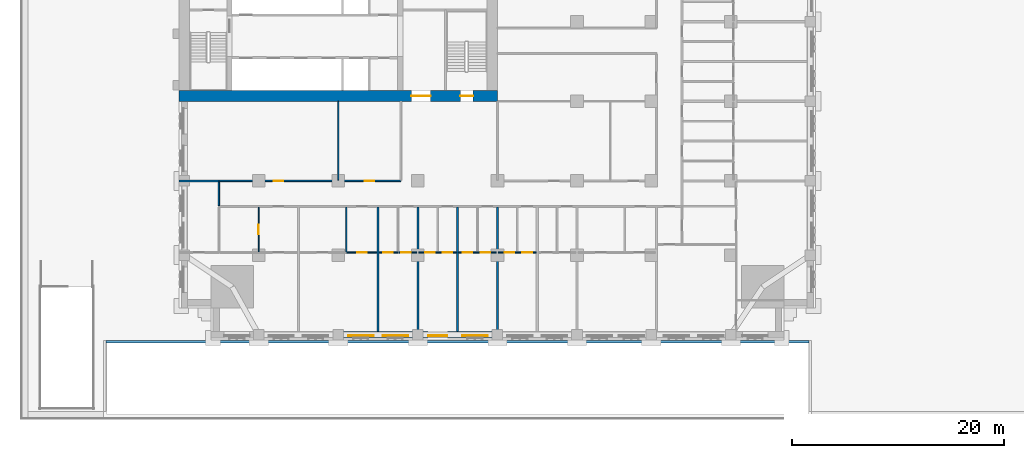
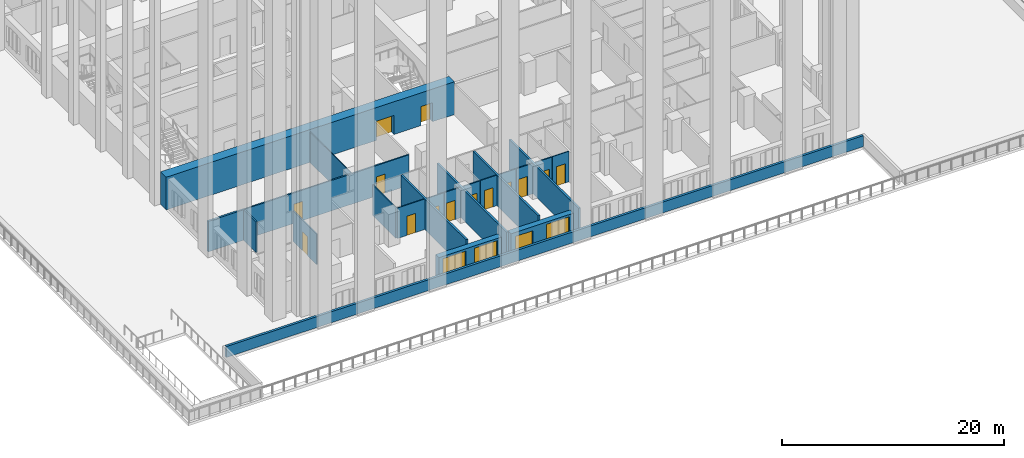
# One storey, part 6 of 27: 23 walls, 15 doors, 3 windows, 18 openings.
"""IFC4 building model written with IfcOpenShell, lengths in metres."""

from ifc_helpers import new_model, si_unit, direction, frame, frame_2d, origin, place, context, subcontext, project, spatial, rectangle, extrude, material, layer, layer_set, type_object, element, fill, save


model = new_model("IFC4")

# Units and contexts
model_context = context("Model", 3, precision=1e-05, world=origin(), true_north=direction((0.0, 1.0)))
body_context = subcontext(model_context, "Body", "Model", "MODEL_VIEW")
ifc_project = project(units=[si_unit("LENGTHUNIT", "METRE"), si_unit("AREAUNIT", "SQUARE_METRE"), si_unit("VOLUMEUNIT", "CUBIC_METRE"), si_unit("PLANEANGLEUNIT", "RADIAN"), si_unit("MASSUNIT", "GRAM", prefix="KILO")], contexts=[model_context])

# Site, building, storey
site_placement = place(None, origin())
site = spatial("IfcSite", under=ifc_project, at=site_placement, CompositionType="ELEMENT")
building_placement = place(site_placement, origin())
building = spatial("IfcBuilding", under=site, at=building_placement, Name="Tamorin Gate", CompositionType="ELEMENT")
storey_placement = place(building_placement, frame((0.0, 0.0, 34.0)))
storey = spatial("IfcBuildingStorey", under=building, at=storey_placement, Name="L06", CompositionType="ELEMENT", Elevation=34.0)

# Wall, openings, windows
ifc_material_1 = material(Name="Precast concrete C40/50", Category="concrete")
ifc_layer_1 = layer(ifc_material_1, 0.60009765625)
ifc_layer_set_1 = layer_set([ifc_layer_1], Name="Precast concrete C40/50")
wall_type_1 = type_object("IfcWallType", Name="Board-marked concrete facade panel 600", PredefinedType="SOLIDWALL", material=ifc_layer_set_1)
wall_1_placement = place(storey_placement, frame((45.5, 38.0, 0.0), z_axis=(0.0, 0.0, 1.0), x_axis=(1.0, 0.0, 0.0)))
wall_1 = element("IfcWall", 1, at=wall_1_placement, inside=storey, type_object=wall_type_1, Name="Facade panel", PredefinedType="SOLIDWALL", context=body_context, shape_type="SweptSolid", body=[
    extrude(rectangle(XDim=6.5, YDim=0.60009765625, at=frame_2d((3.25, 0.0))), origin(), (0.0, 0.0, 1.0), 2.85009765625),
])
opening_1_placement = place(wall_1_placement, frame((0.425048828125, 0.0, 0.800048828125)))
opening_1 = element("IfcOpeningElement", 2, at=opening_1_placement, cuts=wall_1, Name="Opening WN1", PredefinedType="OPENING", context=body_context, shape_type="SweptSolid", body=[
    extrude(rectangle(XDim=2.39990234375, YDim=1.800048828125, at=frame_2d((1.199951171875, 0.89990234375))), frame((0.0, 0.31005859375, 0.0), z_axis=(0.0, -1.0, 0.0), x_axis=(1.0, 0.0, 0.0)), (0.0, 0.0, 1.0), 0.6201171875),
])
opening_2_placement = place(wall_1_placement, frame((3.675048828125, 0.0, 0.800048828125)))
opening_2 = element("IfcOpeningElement", 3, at=opening_2_placement, cuts=wall_1, Name="Opening WN1", PredefinedType="OPENING", context=body_context, shape_type="SweptSolid", body=[
    extrude(rectangle(XDim=2.39990234375, YDim=1.800048828125, at=frame_2d((1.199951171875, 0.89990234375))), frame((0.0, 0.31005859375, 0.0), z_axis=(0.0, -1.0, 0.0), x_axis=(1.0, 0.0, 0.0)), (0.0, 0.0, 1.0), 0.6201171875),
])
ifc_material_2 = material(Name="Clear glass in aluminium frame", Category="aluminium")
window_type = type_object("IfcWindowType", Name="Deep-set window 2400x1800", PartitioningType="SINGLE_PANEL", PredefinedType="WINDOW", material=ifc_material_2)
window_1_placement = place(opening_1_placement, origin())
window_1 = element("IfcWindow", 4, at=window_1_placement, inside=storey, type_object=window_type, Name="Deep-set window", OverallHeight=1.800048828125, OverallWidth=2.39990234375, PartitioningType="SINGLE_PANEL", PredefinedType="WINDOW", context=body_context, shape_type="SweptSolid", body=[
    extrude(rectangle(XDim=2.39990234375, YDim=1.800048828125, at=frame_2d((1.199951171875, 0.89990234375))), frame((0.0, -0.070068359375, 0.0), z_axis=(0.0, -1.0, 0.0), x_axis=(1.0, 0.0, 0.0)), (0.0, 0.0, 1.0), 0.06005859375),
])
fill(opening_1, window_1)
window_2_placement = place(opening_2_placement, origin())
window_2 = element("IfcWindow", 5, at=window_2_placement, inside=storey, type_object=window_type, Name="Deep-set window", OverallHeight=1.800048828125, OverallWidth=2.39990234375, PartitioningType="SINGLE_PANEL", PredefinedType="WINDOW", context=body_context, shape_type="SweptSolid", body=[
    extrude(rectangle(XDim=2.39990234375, YDim=1.800048828125, at=frame_2d((1.199951171875, 0.89990234375))), frame((0.0, -0.070068359375, 0.0), z_axis=(0.0, -1.0, 0.0), x_axis=(1.0, 0.0, 0.0)), (0.0, 0.0, 1.0), 0.06005859375),
])
fill(opening_2, window_2)

# Wall, openings, window, door
wall_2_placement = place(storey_placement, frame((53.0, 38.0, 0.0), z_axis=(0.0, 0.0, 1.0), x_axis=(1.0, 0.0, 0.0)))
wall_2 = element("IfcWall", 6, at=wall_2_placement, inside=storey, type_object=wall_type_1, Name="Facade panel", PredefinedType="SOLIDWALL", context=body_context, shape_type="SweptSolid", body=[
    extrude(rectangle(XDim=6.5, YDim=0.60009765625, at=frame_2d((3.25, 0.0))), origin(), (0.0, 0.0, 1.0), 2.85009765625),
])
opening_3_placement = place(wall_2_placement, frame((0.47509765625, 0.0, 0.0)))
opening_3 = element("IfcOpeningElement", 7, at=opening_3_placement, cuts=wall_2, Name="Opening DX1", PredefinedType="OPENING", context=body_context, shape_type="SweptSolid", body=[
    extrude(rectangle(XDim=1.800048828125, YDim=2.39990234375, at=frame_2d((0.89990234375, 1.199951171875))), frame((0.0, 0.31005859375, 0.0), z_axis=(0.0, -1.0, 0.0), x_axis=(1.0, 0.0, 0.0)), (0.0, 0.0, 1.0), 0.6201171875),
])
opening_4_placement = place(wall_2_placement, frame((3.675048828125, 0.0, 0.800048828125)))
opening_4 = element("IfcOpeningElement", 8, at=opening_4_placement, cuts=wall_2, Name="Opening WN1", PredefinedType="OPENING", context=body_context, shape_type="SweptSolid", body=[
    extrude(rectangle(XDim=2.39990234375, YDim=1.800048828125, at=frame_2d((1.199951171875, 0.89990234375))), frame((0.0, 0.31005859375, 0.0), z_axis=(0.0, -1.0, 0.0), x_axis=(1.0, 0.0, 0.0)), (0.0, 0.0, 1.0), 0.6201171875),
])
window_3_placement = place(opening_4_placement, origin())
window_3 = element("IfcWindow", 9, at=window_3_placement, inside=storey, type_object=window_type, Name="Deep-set window", OverallHeight=1.800048828125, OverallWidth=2.39990234375, PartitioningType="SINGLE_PANEL", PredefinedType="WINDOW", context=body_context, shape_type="SweptSolid", body=[
    extrude(rectangle(XDim=2.39990234375, YDim=1.800048828125, at=frame_2d((1.199951171875, 0.89990234375))), frame((0.0, -0.070068359375, 0.0), z_axis=(0.0, -1.0, 0.0), x_axis=(1.0, 0.0, 0.0)), (0.0, 0.0, 1.0), 0.06005859375),
])
fill(opening_4, window_3)
door_type_1 = type_object("IfcDoorType", Name="Terrace door 1800x2400", OperationType="DOUBLE_DOOR_SINGLE_SWING", PredefinedType="DOOR", material=ifc_material_2)
door_1_placement = place(opening_3_placement, origin())
door_1 = element("IfcDoor", 10, at=door_1_placement, inside=storey, type_object=door_type_1, Name="Terrace door", OperationType="SINGLE_SWING_LEFT", OverallHeight=2.39990234375, OverallWidth=1.800048828125, PredefinedType="DOOR", context=body_context, shape_type="SweptSolid", body=[
    extrude(rectangle(XDim=1.800048828125, YDim=2.39990234375, at=frame_2d((0.89990234375, 1.199951171875))), frame((0.0, -0.0751953125, 0.0), z_axis=(0.0, -1.0, 0.0), x_axis=(1.0, 0.0, 0.0)), (0.0, 0.0, 1.0), 0.050048828125),
])
fill(opening_3, door_1)

# Wall, openings, doors
ifc_material_3 = material(Name="Gypsum board partition")
ifc_layer_2 = layer(ifc_material_3, 0.14990234375)
ifc_layer_set_2 = layer_set([ifc_layer_2], Name="Corridor wall 150")
wall_type_2 = type_object("IfcWallType", Name="Corridor wall 150", PredefinedType="PARTITIONING", material=ifc_layer_set_2)
wall_3_placement = place(storey_placement, frame((33.75, 52.5, 0.0), z_axis=(0.0, 0.0, 1.0), x_axis=(1.0, 0.0, 0.0)))
wall_3 = element("IfcWall", 11, at=wall_3_placement, inside=storey, type_object=wall_type_2, Name="Corridor wall 150", PredefinedType="PARTITIONING", context=body_context, shape_type="SweptSolid", body=[
    extrude(rectangle(XDim=17.14990234375, YDim=0.14990234375, at=frame_2d((8.574951171875, 0.0))), origin(), (0.0, 0.0, 1.0), 3.35009765625),
])
opening_5_placement = place(wall_3_placement, frame((5.175048828125, 0.0, 0.0)))
opening_5 = element("IfcOpeningElement", 12, at=opening_5_placement, cuts=wall_3, Name="Opening DH1093", PredefinedType="OPENING", context=body_context, shape_type="SweptSolid", body=[
    extrude(rectangle(XDim=0.89990234375, YDim=2.10009765625, at=frame_2d((0.449951171875, 1.050048828125))), frame((0.0, 0.0849609375, 0.0), z_axis=(0.0, -1.0, 0.0), x_axis=(1.0, 0.0, 0.0)), (0.0, 0.0, 1.0), 0.169921875),
])
opening_6_placement = place(wall_3_placement, frame((13.75, 0.0, 0.0)))
opening_6 = element("IfcOpeningElement", 13, at=opening_6_placement, cuts=wall_3, Name="Opening DH1094", PredefinedType="OPENING", context=body_context, shape_type="SweptSolid", body=[
    extrude(rectangle(XDim=0.89990234375, YDim=2.10009765625, at=frame_2d((0.449951171875, 1.050048828125))), frame((0.0, 0.0849609375, 0.0), z_axis=(0.0, -1.0, 0.0), x_axis=(1.0, 0.0, 0.0)), (0.0, 0.0, 1.0), 0.169921875),
])
ifc_material_4 = material(Name="Timber door leaf", Category="wood")
door_type_2 = type_object("IfcDoorType", Name="Door 900 x 2100 FD30S", OperationType="NOTDEFINED", PredefinedType="DOOR", material=ifc_material_4)
door_2_placement = place(opening_5_placement, origin())
door_2 = element("IfcDoor", 14, at=door_2_placement, inside=storey, type_object=door_type_2, Name="Door DH1093", OperationType="SINGLE_SWING_LEFT", OverallHeight=2.10009765625, OverallWidth=0.89990234375, PredefinedType="DOOR", context=body_context, shape_type="SweptSolid", body=[
    extrude(rectangle(XDim=0.89990234375, YDim=2.10009765625, at=frame_2d((0.449951171875, 1.050048828125))), frame((0.0, 0.02490234375, 0.0), z_axis=(0.0, -1.0, 0.0), x_axis=(1.0, 0.0, 0.0)), (0.0, 0.0, 1.0), 0.050048828125),
])
fill(opening_5, door_2)
door_3_placement = place(opening_6_placement, origin())
door_3 = element("IfcDoor", 15, at=door_3_placement, inside=storey, type_object=door_type_2, Name="Door DH1094", OperationType="SINGLE_SWING_LEFT", OverallHeight=2.10009765625, OverallWidth=0.89990234375, PredefinedType="DOOR", context=body_context, shape_type="SweptSolid", body=[
    extrude(rectangle(XDim=0.89990234375, YDim=2.10009765625, at=frame_2d((0.449951171875, 1.050048828125))), frame((0.0, 0.02490234375, 0.0), z_axis=(0.0, -1.0, 0.0), x_axis=(1.0, 0.0, 0.0)), (0.0, 0.0, 1.0), 0.050048828125),
])
fill(opening_6, door_3)

# Walls
wall_4_placement = place(storey_placement, frame((33.75, 50.175048828125, 0.0), z_axis=(0.0, 0.0, 1.0), x_axis=(0.0, 1.0, 0.0)))
element("IfcWall", 16, at=wall_4_placement, inside=storey, type_object=wall_type_2, Name="Corridor wall 150", PredefinedType="PARTITIONING", context=body_context, shape_type="SweptSolid", body=[
    extrude(rectangle(XDim=2.224853515625, YDim=0.14990234375, at=frame_2d((1.1123046875, 0.0))), origin(), (0.0, 0.0, 1.0), 3.35009765625),
])
ifc_layer_3 = layer(ifc_material_3, 0.199951171875)
ifc_layer_set_3 = layer_set([ifc_layer_3], Name="Demising wall 200")
wall_type_3 = type_object("IfcWallType", Name="Demising wall 200", PredefinedType="PARTITIONING", material=ifc_layer_set_3)
wall_5_placement = place(storey_placement, frame((30.0, 52.5, 0.0), z_axis=(0.0, 0.0, 1.0), x_axis=(1.0, 0.0, 0.0)))
element("IfcWall", 17, at=wall_5_placement, inside=storey, type_object=wall_type_3, Name="Demising wall 200", PredefinedType="PARTITIONING", context=body_context, shape_type="SweptSolid", body=[
    extrude(rectangle(XDim=3.75, YDim=0.199951171875, at=frame_2d((1.875, 0.0))), origin(), (0.0, 0.0, 1.0), 3.35009765625),
])
wall_6_placement = place(storey_placement, frame((48.75, 38.31005859375, 0.0), z_axis=(0.0, 0.0, 1.0), x_axis=(0.0, 1.0, 0.0)))
element("IfcWall", 18, at=wall_6_placement, inside=storey, type_object=wall_type_3, Name="Demising wall 200", PredefinedType="PARTITIONING", context=body_context, shape_type="SweptSolid", body=[
    extrude(rectangle(XDim=11.71484375, YDim=0.199951171875, at=frame_2d((5.857421875, 0.0))), origin(), (0.0, 0.0, 1.0), 3.35009765625),
])
wall_7_placement = place(storey_placement, frame((52.5, 37.5, 0.0), z_axis=(0.0, 0.0, 1.0), x_axis=(0.0, 1.0, 0.0)))
element("IfcWall", 19, at=wall_7_placement, inside=storey, type_object=wall_type_3, Name="Demising wall 200", PredefinedType="PARTITIONING", context=body_context, shape_type="SweptSolid", body=[
    extrude(rectangle(XDim=12.52490234375, YDim=0.199951171875, at=frame_2d((6.262451171875, 0.0))), origin(), (0.0, 0.0, 1.0), 3.35009765625),
])
wall_8_placement = place(storey_placement, frame((56.25, 38.31005859375, 0.0), z_axis=(0.0, 0.0, 1.0), x_axis=(0.0, 1.0, 0.0)))
element("IfcWall", 20, at=wall_8_placement, inside=storey, type_object=wall_type_3, Name="Demising wall 200", PredefinedType="PARTITIONING", context=body_context, shape_type="SweptSolid", body=[
    extrude(rectangle(XDim=11.71484375, YDim=0.199951171875, at=frame_2d((5.857421875, 0.0))), origin(), (0.0, 0.0, 1.0), 3.35009765625),
])
wall_9_placement = place(storey_placement, frame((60.0, 37.5, 0.0), z_axis=(0.0, 0.0, 1.0), x_axis=(0.0, 1.0, 0.0)))
element("IfcWall", 21, at=wall_9_placement, inside=storey, type_object=wall_type_3, Name="Demising wall 200", PredefinedType="PARTITIONING", context=body_context, shape_type="SweptSolid", body=[
    extrude(rectangle(XDim=12.52490234375, YDim=0.199951171875, at=frame_2d((6.262451171875, 0.0))), origin(), (0.0, 0.0, 1.0), 3.35009765625),
])
ifc_layer_4 = layer(ifc_material_1, 0.25)
ifc_layer_set_4 = layer_set([ifc_layer_4], Name="Precast concrete C40/50")
wall_type_4 = type_object("IfcWallType", Name="Precast terrace parapet 250", PredefinedType="PARAPET", material=ifc_layer_set_4)
wall_10_placement = place(storey_placement, frame((23.125, 37.35009765625, 0.0), z_axis=(0.0, 0.0, 1.0), x_axis=(1.0, 0.0, 0.0)))
element("IfcWall", 22, at=wall_10_placement, inside=storey, type_object=wall_type_4, Name="Roof parapet", PredefinedType="PARAPET", context=body_context, shape_type="SweptSolid", body=[
    extrude(rectangle(XDim=66.25, YDim=0.25, at=frame_2d((33.125, 0.0))), origin(), (0.0, 0.0, 1.0), 1.199951171875),
])

# Wall, openings, doors
ifc_material_5 = material(Name="Concrete C80/95", Category="concrete")
ifc_layer_5 = layer(ifc_material_5, 1.0)
ifc_layer_set_5 = layer_set([ifc_layer_5], Name="RC core wall 1000 C80/95")
wall_type_5 = type_object("IfcWallType", Name="RC core wall 1000 C80/95", PredefinedType="SHEAR", material=ifc_layer_set_5)
wall_11_placement = place(storey_placement, frame((30.0, 60.5, 0.0), z_axis=(0.0, 0.0, 1.0), x_axis=(1.0, 0.0, 0.0)))
wall_11 = element("IfcWall", 23, at=wall_11_placement, inside=storey, type_object=wall_type_5, Name="Core wall L06", PredefinedType="SHEAR", context=body_context, shape_type="SweptSolid", body=[
    extrude(rectangle(XDim=30.0, YDim=1.0, at=frame_2d((15.0, 0.0))), origin(), (0.0, 0.0, 1.0), 3.60009765625),
])
opening_7_placement = place(wall_11_placement, frame((21.89990234375, 0.0, 0.0)))
opening_7 = element("IfcOpeningElement", 24, at=opening_7_placement, cuts=wall_11, Name="Opening DE1", PredefinedType="OPENING", context=body_context, shape_type="SweptSolid", body=[
    extrude(rectangle(XDim=1.800048828125, YDim=2.10009765625, at=frame_2d((0.89990234375, 1.050048828125))), frame((0.0, 0.510009765625, 0.0), z_axis=(0.0, -1.0, 0.0), x_axis=(1.0, 0.0, 0.0)), (0.0, 0.0, 1.0), 1.02001953125),
])
opening_8_placement = place(wall_11_placement, frame((26.5, 0.0, 0.0)))
opening_8 = element("IfcOpeningElement", 25, at=opening_8_placement, cuts=wall_11, Name="Opening DS1", PredefinedType="OPENING", context=body_context, shape_type="SweptSolid", body=[
    extrude(rectangle(XDim=1.199951171875, YDim=2.10009765625, at=frame_2d((0.60009765625, 1.050048828125))), frame((0.0, 0.510009765625, 0.0), z_axis=(0.0, -1.0, 0.0), x_axis=(1.0, 0.0, 0.0)), (0.0, 0.0, 1.0), 1.02001953125),
])
ifc_material_6 = material(Name="Steel fire door", Category="steel")
door_type_3 = type_object("IfcDoorType", Name="Lobby exit double door 1800 x 2100 EI 60", OperationType="DOUBLE_DOOR_SINGLE_SWING", PredefinedType="DOOR", material=ifc_material_6)
door_4_placement = place(opening_7_placement, origin())
door_4 = element("IfcDoor", 26, at=door_4_placement, inside=storey, type_object=door_type_3, Name="Lift lobby A exit door", OperationType="DOUBLE_DOOR_SINGLE_SWING", OverallHeight=2.10009765625, OverallWidth=1.800048828125, PredefinedType="DOOR", context=body_context, shape_type="SweptSolid", body=[
    extrude(rectangle(XDim=1.800048828125, YDim=2.10009765625, at=frame_2d((0.89990234375, 1.050048828125))), frame((0.0, 0.02490234375, 0.0), z_axis=(0.0, -1.0, 0.0), x_axis=(1.0, 0.0, 0.0)), (0.0, 0.0, 1.0), 0.050048828125),
])
fill(opening_7, door_4)
door_type_4 = type_object("IfcDoorType", Name="Stair door 1200 x 2100 EI 90", OperationType="SINGLE_SWING_LEFT", PredefinedType="DOOR", material=ifc_material_6)
door_5_placement = place(opening_8_placement, origin())
door_5 = element("IfcDoor", 27, at=door_5_placement, inside=storey, type_object=door_type_4, Name="ST3 door", OperationType="SINGLE_SWING_LEFT", OverallHeight=2.10009765625, OverallWidth=1.199951171875, PredefinedType="DOOR", context=body_context, shape_type="SweptSolid", body=[
    extrude(rectangle(XDim=1.199951171875, YDim=2.10009765625, at=frame_2d((0.60009765625, 1.050048828125))), frame((0.0, 0.02490234375, 0.0), z_axis=(0.0, -1.0, 0.0), x_axis=(1.0, 0.0, 0.0)), (0.0, 0.0, 1.0), 0.050048828125),
])
fill(opening_8, door_5)

# Wall, opening, door
ifc_layer_6 = layer(ifc_material_3, 0.10009765625)
ifc_layer_set_6 = layer_set([ifc_layer_6], Name="Room partition 100")
wall_type_6 = type_object("IfcWallType", Name="Room partition 100", PredefinedType="PARTITIONING", material=ifc_layer_set_6)
wall_12_placement = place(storey_placement, frame((45.8125, 45.75, 0.0), z_axis=(0.0, 0.0, 1.0), x_axis=(1.0, 0.0, 0.0)))
wall_12 = element("IfcWall", 28, at=wall_12_placement, inside=storey, type_object=wall_type_6, Name="Room partition 100", PredefinedType="PARTITIONING", context=body_context, shape_type="SweptSolid", body=[
    extrude(rectangle(XDim=2.83740234375, YDim=0.10009765625, at=frame_2d((1.418701171875, 0.0))), origin(), (0.0, 0.0, 1.0), 3.35009765625),
])
opening_9_placement = place(wall_12_placement, frame((0.987548828125, 0.0, 0.0)))
opening_9 = element("IfcOpeningElement", 29, at=opening_9_placement, cuts=wall_12, Name="Opening DH1007", PredefinedType="OPENING", context=body_context, shape_type="SweptSolid", body=[
    extrude(rectangle(XDim=0.89990234375, YDim=2.10009765625, at=frame_2d((0.449951171875, 1.050048828125))), frame((0.0, 0.06005859375, 0.0), z_axis=(0.0, -1.0, 0.0), x_axis=(1.0, 0.0, 0.0)), (0.0, 0.0, 1.0), 0.1201171875),
])
door_type_5 = type_object("IfcDoorType", Name="Door 900 x 2100", OperationType="NOTDEFINED", PredefinedType="DOOR", material=ifc_material_4)
door_6_placement = place(opening_9_placement, origin())
door_6 = element("IfcDoor", 30, at=door_6_placement, inside=storey, type_object=door_type_5, Name="Door DH1007", OperationType="SINGLE_SWING_LEFT", OverallHeight=2.10009765625, OverallWidth=0.89990234375, PredefinedType="DOOR", context=body_context, shape_type="SweptSolid", body=[
    extrude(rectangle(XDim=0.89990234375, YDim=2.10009765625, at=frame_2d((0.449951171875, 1.050048828125))), frame((0.0, 0.02490234375, 0.0), z_axis=(0.0, -1.0, 0.0), x_axis=(1.0, 0.0, 0.0)), (0.0, 0.0, 1.0), 0.050048828125),
])
fill(opening_9, door_6)

wall_13_placement = place(storey_placement, frame((50.6875, 45.75, 0.0), z_axis=(0.0, 0.0, 1.0), x_axis=(1.0, 0.0, 0.0)))
wall_13 = element("IfcWall", 31, at=wall_13_placement, inside=storey, type_object=wall_type_6, Name="Room partition 100", PredefinedType="PARTITIONING", context=body_context, shape_type="SweptSolid", body=[
    extrude(rectangle(XDim=1.71240234375, YDim=0.10009765625, at=frame_2d((0.856201171875, 0.0))), origin(), (0.0, 0.0, 1.0), 3.35009765625),
])
opening_10_placement = place(wall_13_placement, frame((0.22509765625, 0.0, 0.0)))
opening_10 = element("IfcOpeningElement", 32, at=opening_10_placement, cuts=wall_13, Name="Opening DH1010", PredefinedType="OPENING", context=body_context, shape_type="SweptSolid", body=[
    extrude(rectangle(XDim=0.89990234375, YDim=2.10009765625, at=frame_2d((0.449951171875, 1.050048828125))), frame((0.0, 0.06005859375, 0.0), z_axis=(0.0, -1.0, 0.0), x_axis=(1.0, 0.0, 0.0)), (0.0, 0.0, 1.0), 0.1201171875),
])
door_7_placement = place(opening_10_placement, origin())
door_7 = element("IfcDoor", 33, at=door_7_placement, inside=storey, type_object=door_type_5, Name="Door DH1010", OperationType="SINGLE_SWING_LEFT", OverallHeight=2.10009765625, OverallWidth=0.89990234375, PredefinedType="DOOR", context=body_context, shape_type="SweptSolid", body=[
    extrude(rectangle(XDim=0.89990234375, YDim=2.10009765625, at=frame_2d((0.449951171875, 1.050048828125))), frame((0.0, 0.02490234375, 0.0), z_axis=(0.0, -1.0, 0.0), x_axis=(1.0, 0.0, 0.0)), (0.0, 0.0, 1.0), 0.050048828125),
])
fill(opening_10, door_7)

wall_14_placement = place(storey_placement, frame((54.4375, 45.75, 0.0), z_axis=(0.0, 0.0, 1.0), x_axis=(1.0, 0.0, 0.0)))
wall_14 = element("IfcWall", 34, at=wall_14_placement, inside=storey, type_object=wall_type_6, Name="Room partition 100", PredefinedType="PARTITIONING", context=body_context, shape_type="SweptSolid", body=[
    extrude(rectangle(XDim=1.71240234375, YDim=0.10009765625, at=frame_2d((0.856201171875, 0.0))), origin(), (0.0, 0.0, 1.0), 3.35009765625),
])
opening_11_placement = place(wall_14_placement, frame((0.425048828125, 0.0, 0.0)))
opening_11 = element("IfcOpeningElement", 35, at=opening_11_placement, cuts=wall_14, Name="Opening DH1013", PredefinedType="OPENING", context=body_context, shape_type="SweptSolid", body=[
    extrude(rectangle(XDim=0.89990234375, YDim=2.10009765625, at=frame_2d((0.449951171875, 1.050048828125))), frame((0.0, 0.06005859375, 0.0), z_axis=(0.0, -1.0, 0.0), x_axis=(1.0, 0.0, 0.0)), (0.0, 0.0, 1.0), 0.1201171875),
])
door_8_placement = place(opening_11_placement, origin())
door_8 = element("IfcDoor", 36, at=door_8_placement, inside=storey, type_object=door_type_5, Name="Door DH1013", OperationType="SINGLE_SWING_LEFT", OverallHeight=2.10009765625, OverallWidth=0.89990234375, PredefinedType="DOOR", context=body_context, shape_type="SweptSolid", body=[
    extrude(rectangle(XDim=0.89990234375, YDim=2.10009765625, at=frame_2d((0.449951171875, 1.050048828125))), frame((0.0, 0.02490234375, 0.0), z_axis=(0.0, -1.0, 0.0), x_axis=(1.0, 0.0, 0.0)), (0.0, 0.0, 1.0), 0.050048828125),
])
fill(opening_11, door_8)

wall_15_placement = place(storey_placement, frame((58.1875, 45.75, 0.0), z_axis=(0.0, 0.0, 1.0), x_axis=(1.0, 0.0, 0.0)))
wall_15 = element("IfcWall", 37, at=wall_15_placement, inside=storey, type_object=wall_type_6, Name="Room partition 100", PredefinedType="PARTITIONING", context=body_context, shape_type="SweptSolid", body=[
    extrude(rectangle(XDim=1.71240234375, YDim=0.10009765625, at=frame_2d((0.856201171875, 0.0))), origin(), (0.0, 0.0, 1.0), 3.35009765625),
])
opening_12_placement = place(wall_15_placement, frame((0.22509765625, 0.0, 0.0)))
opening_12 = element("IfcOpeningElement", 38, at=opening_12_placement, cuts=wall_15, Name="Opening DH1016", PredefinedType="OPENING", context=body_context, shape_type="SweptSolid", body=[
    extrude(rectangle(XDim=0.89990234375, YDim=2.10009765625, at=frame_2d((0.449951171875, 1.050048828125))), frame((0.0, 0.06005859375, 0.0), z_axis=(0.0, -1.0, 0.0), x_axis=(1.0, 0.0, 0.0)), (0.0, 0.0, 1.0), 0.1201171875),
])
door_9_placement = place(opening_12_placement, origin())
door_9 = element("IfcDoor", 39, at=door_9_placement, inside=storey, type_object=door_type_5, Name="Door DH1016", OperationType="SINGLE_SWING_LEFT", OverallHeight=2.10009765625, OverallWidth=0.89990234375, PredefinedType="DOOR", context=body_context, shape_type="SweptSolid", body=[
    extrude(rectangle(XDim=0.89990234375, YDim=2.10009765625, at=frame_2d((0.449951171875, 1.050048828125))), frame((0.0, 0.02490234375, 0.0), z_axis=(0.0, -1.0, 0.0), x_axis=(1.0, 0.0, 0.0)), (0.0, 0.0, 1.0), 0.050048828125),
])
fill(opening_12, door_9)

wall_16_placement = place(storey_placement, frame((61.9375, 45.75, 0.0), z_axis=(0.0, 0.0, 1.0), x_axis=(1.0, 0.0, 0.0)))
wall_16 = element("IfcWall", 40, at=wall_16_placement, inside=storey, type_object=wall_type_6, Name="Room partition 100", PredefinedType="PARTITIONING", context=body_context, shape_type="SweptSolid", body=[
    extrude(rectangle(XDim=1.71240234375, YDim=0.10009765625, at=frame_2d((0.856201171875, 0.0))), origin(), (0.0, 0.0, 1.0), 3.35009765625),
])
opening_13_placement = place(wall_16_placement, frame((0.425048828125, 0.0, 0.0)))
opening_13 = element("IfcOpeningElement", 41, at=opening_13_placement, cuts=wall_16, Name="Opening DH1019", PredefinedType="OPENING", context=body_context, shape_type="SweptSolid", body=[
    extrude(rectangle(XDim=0.89990234375, YDim=2.10009765625, at=frame_2d((0.449951171875, 1.050048828125))), frame((0.0, 0.06005859375, 0.0), z_axis=(0.0, -1.0, 0.0), x_axis=(1.0, 0.0, 0.0)), (0.0, 0.0, 1.0), 0.1201171875),
])
door_10_placement = place(opening_13_placement, origin())
door_10 = element("IfcDoor", 42, at=door_10_placement, inside=storey, type_object=door_type_5, Name="Door DH1019", OperationType="SINGLE_SWING_LEFT", OverallHeight=2.10009765625, OverallWidth=0.89990234375, PredefinedType="DOOR", context=body_context, shape_type="SweptSolid", body=[
    extrude(rectangle(XDim=0.89990234375, YDim=2.10009765625, at=frame_2d((0.449951171875, 1.050048828125))), frame((0.0, 0.02490234375, 0.0), z_axis=(0.0, -1.0, 0.0), x_axis=(1.0, 0.0, 0.0)), (0.0, 0.0, 1.0), 0.050048828125),
])
fill(opening_13, door_10)

wall_17_placement = place(storey_placement, frame((37.5, 45.800048828125, 0.0), z_axis=(0.0, 0.0, 1.0), x_axis=(0.0, 1.0, 0.0)))
wall_17 = element("IfcWall", 43, at=wall_17_placement, inside=storey, type_object=wall_type_6, Name="Room partition 100", PredefinedType="PARTITIONING", context=body_context, shape_type="SweptSolid", body=[
    extrude(rectangle(XDim=4.224853515625, YDim=0.10009765625, at=frame_2d((2.1123046875, 0.0))), origin(), (0.0, 0.0, 1.0), 3.35009765625),
])
opening_14_placement = place(wall_17_placement, frame((1.675048828125, 0.0, 0.0)))
opening_14 = element("IfcOpeningElement", 44, at=opening_14_placement, cuts=wall_17, Name="Opening DH1002", PredefinedType="OPENING", context=body_context, shape_type="SweptSolid", body=[
    extrude(rectangle(XDim=0.89990234375, YDim=2.10009765625, at=frame_2d((0.449951171875, 1.050048828125))), frame((0.0, 0.06005859375, 0.0), z_axis=(0.0, -1.0, 0.0), x_axis=(1.0, 0.0, 0.0)), (0.0, 0.0, 1.0), 0.1201171875),
])
door_11_placement = place(opening_14_placement, origin())
door_11 = element("IfcDoor", 45, at=door_11_placement, inside=storey, type_object=door_type_5, Name="Door DH1002", OperationType="SINGLE_SWING_RIGHT", OverallHeight=2.10009765625, OverallWidth=0.89990234375, PredefinedType="DOOR", context=body_context, shape_type="SweptSolid", body=[
    extrude(rectangle(XDim=0.89990234375, YDim=2.10009765625, at=frame_2d((0.449951171875, 1.050048828125))), frame((0.0, 0.02490234375, 0.0), z_axis=(0.0, -1.0, 0.0), x_axis=(1.0, 0.0, 0.0)), (0.0, 0.0, 1.0), 0.050048828125),
])
fill(opening_14, door_11)

# Wall
wall_18_placement = place(storey_placement, frame((45.0, 52.574951171875, 0.0), z_axis=(0.0, 0.0, 1.0), x_axis=(0.0, 1.0, 0.0)))
element("IfcWall", 46, at=wall_18_placement, inside=storey, type_object=wall_type_6, Name="Room partition 100", PredefinedType="PARTITIONING", context=body_context, shape_type="SweptSolid", body=[
    extrude(rectangle(XDim=7.425048828125, YDim=0.10009765625, at=frame_2d((3.71240234375, 0.0))), origin(), (0.0, 0.0, 1.0), 3.35009765625),
])

# Wall, opening, door
ifc_layer_7 = layer(ifc_material_3, 0.125)
ifc_layer_set_7 = layer_set([ifc_layer_7], Name="Wet wall 125")
wall_type_7 = type_object("IfcWallType", Name="Wet wall 125", PredefinedType="PARTITIONING", material=ifc_layer_set_7)
wall_19_placement = place(storey_placement, frame((48.85009765625, 45.75, 0.0), z_axis=(0.0, 0.0, 1.0), x_axis=(1.0, 0.0, 0.0)))
wall_19 = element("IfcWall", 47, at=wall_19_placement, inside=storey, type_object=wall_type_7, Name="Wet wall 125", PredefinedType="PARTITIONING", context=body_context, shape_type="SweptSolid", body=[
    extrude(rectangle(XDim=1.77490234375, YDim=0.125, at=frame_2d((0.887451171875, 0.0))), origin(), (0.0, 0.0, 1.0), 3.35009765625),
])
opening_15_placement = place(wall_19_placement, frame((0.387451171875, 0.0, 0.0)))
opening_15 = element("IfcOpeningElement", 48, at=opening_15_placement, cuts=wall_19, Name="Opening DH1008", PredefinedType="OPENING", context=body_context, shape_type="SweptSolid", body=[
    extrude(rectangle(XDim=0.89990234375, YDim=2.10009765625, at=frame_2d((0.449951171875, 1.050048828125))), frame((0.0, 0.072509765625, 0.0), z_axis=(0.0, -1.0, 0.0), x_axis=(1.0, 0.0, 0.0)), (0.0, 0.0, 1.0), 0.14501953125),
])
door_12_placement = place(opening_15_placement, origin())
door_12 = element("IfcDoor", 49, at=door_12_placement, inside=storey, type_object=door_type_5, Name="Door DH1008", OperationType="SINGLE_SWING_LEFT", OverallHeight=2.10009765625, OverallWidth=0.89990234375, PredefinedType="DOOR", context=body_context, shape_type="SweptSolid", body=[
    extrude(rectangle(XDim=0.89990234375, YDim=2.10009765625, at=frame_2d((0.449951171875, 1.050048828125))), frame((0.0, 0.02490234375, 0.0), z_axis=(0.0, -1.0, 0.0), x_axis=(1.0, 0.0, 0.0)), (0.0, 0.0, 1.0), 0.050048828125),
])
fill(opening_15, door_12)

wall_20_placement = place(storey_placement, frame((52.60009765625, 45.75, 0.0), z_axis=(0.0, 0.0, 1.0), x_axis=(1.0, 0.0, 0.0)))
wall_20 = element("IfcWall", 50, at=wall_20_placement, inside=storey, type_object=wall_type_7, Name="Wet wall 125", PredefinedType="PARTITIONING", context=body_context, shape_type="SweptSolid", body=[
    extrude(rectangle(XDim=1.77490234375, YDim=0.125, at=frame_2d((0.887451171875, 0.0))), origin(), (0.0, 0.0, 1.0), 3.35009765625),
])
opening_16_placement = place(wall_20_placement, frame((0.58740234375, 0.0, 0.0)))
opening_16 = element("IfcOpeningElement", 51, at=opening_16_placement, cuts=wall_20, Name="Opening DH1011", PredefinedType="OPENING", context=body_context, shape_type="SweptSolid", body=[
    extrude(rectangle(XDim=0.89990234375, YDim=2.10009765625, at=frame_2d((0.449951171875, 1.050048828125))), frame((0.0, 0.072509765625, 0.0), z_axis=(0.0, -1.0, 0.0), x_axis=(1.0, 0.0, 0.0)), (0.0, 0.0, 1.0), 0.14501953125),
])
door_13_placement = place(opening_16_placement, origin())
door_13 = element("IfcDoor", 52, at=door_13_placement, inside=storey, type_object=door_type_5, Name="Door DH1011", OperationType="SINGLE_SWING_RIGHT", OverallHeight=2.10009765625, OverallWidth=0.89990234375, PredefinedType="DOOR", context=body_context, shape_type="SweptSolid", body=[
    extrude(rectangle(XDim=0.89990234375, YDim=2.10009765625, at=frame_2d((0.449951171875, 1.050048828125))), frame((0.0, 0.02490234375, 0.0), z_axis=(0.0, -1.0, 0.0), x_axis=(1.0, 0.0, 0.0)), (0.0, 0.0, 1.0), 0.050048828125),
])
fill(opening_16, door_13)

wall_21_placement = place(storey_placement, frame((56.35009765625, 45.75, 0.0), z_axis=(0.0, 0.0, 1.0), x_axis=(1.0, 0.0, 0.0)))
wall_21 = element("IfcWall", 53, at=wall_21_placement, inside=storey, type_object=wall_type_7, Name="Wet wall 125", PredefinedType="PARTITIONING", context=body_context, shape_type="SweptSolid", body=[
    extrude(rectangle(XDim=1.77490234375, YDim=0.125, at=frame_2d((0.887451171875, 0.0))), origin(), (0.0, 0.0, 1.0), 3.35009765625),
])
opening_17_placement = place(wall_21_placement, frame((0.387451171875, 0.0, 0.0)))
opening_17 = element("IfcOpeningElement", 54, at=opening_17_placement, cuts=wall_21, Name="Opening DH1014", PredefinedType="OPENING", context=body_context, shape_type="SweptSolid", body=[
    extrude(rectangle(XDim=0.89990234375, YDim=2.10009765625, at=frame_2d((0.449951171875, 1.050048828125))), frame((0.0, 0.072509765625, 0.0), z_axis=(0.0, -1.0, 0.0), x_axis=(1.0, 0.0, 0.0)), (0.0, 0.0, 1.0), 0.14501953125),
])
door_14_placement = place(opening_17_placement, origin())
door_14 = element("IfcDoor", 55, at=door_14_placement, inside=storey, type_object=door_type_5, Name="Door DH1014", OperationType="SINGLE_SWING_LEFT", OverallHeight=2.10009765625, OverallWidth=0.89990234375, PredefinedType="DOOR", context=body_context, shape_type="SweptSolid", body=[
    extrude(rectangle(XDim=0.89990234375, YDim=2.10009765625, at=frame_2d((0.449951171875, 1.050048828125))), frame((0.0, 0.02490234375, 0.0), z_axis=(0.0, -1.0, 0.0), x_axis=(1.0, 0.0, 0.0)), (0.0, 0.0, 1.0), 0.050048828125),
])
fill(opening_17, door_14)

wall_22_placement = place(storey_placement, frame((60.10009765625, 45.75, 0.0), z_axis=(0.0, 0.0, 1.0), x_axis=(1.0, 0.0, 0.0)))
wall_22 = element("IfcWall", 56, at=wall_22_placement, inside=storey, type_object=wall_type_7, Name="Wet wall 125", PredefinedType="PARTITIONING", context=body_context, shape_type="SweptSolid", body=[
    extrude(rectangle(XDim=1.77490234375, YDim=0.125, at=frame_2d((0.887451171875, 0.0))), origin(), (0.0, 0.0, 1.0), 3.35009765625),
])
opening_18_placement = place(wall_22_placement, frame((0.58740234375, 0.0, 0.0)))
opening_18 = element("IfcOpeningElement", 57, at=opening_18_placement, cuts=wall_22, Name="Opening DH1017", PredefinedType="OPENING", context=body_context, shape_type="SweptSolid", body=[
    extrude(rectangle(XDim=0.89990234375, YDim=2.10009765625, at=frame_2d((0.449951171875, 1.050048828125))), frame((0.0, 0.072509765625, 0.0), z_axis=(0.0, -1.0, 0.0), x_axis=(1.0, 0.0, 0.0)), (0.0, 0.0, 1.0), 0.14501953125),
])
door_15_placement = place(opening_18_placement, origin())
door_15 = element("IfcDoor", 58, at=door_15_placement, inside=storey, type_object=door_type_5, Name="Door DH1017", OperationType="SINGLE_SWING_RIGHT", OverallHeight=2.10009765625, OverallWidth=0.89990234375, PredefinedType="DOOR", context=body_context, shape_type="SweptSolid", body=[
    extrude(rectangle(XDim=0.89990234375, YDim=2.10009765625, at=frame_2d((0.449951171875, 1.050048828125))), frame((0.0, 0.02490234375, 0.0), z_axis=(0.0, -1.0, 0.0), x_axis=(1.0, 0.0, 0.0)), (0.0, 0.0, 1.0), 0.050048828125),
])
fill(opening_18, door_15)

# Wall
wall_23_placement = place(storey_placement, frame((45.75, 45.8125, 0.0), z_axis=(0.0, 0.0, 1.0), x_axis=(0.0, 1.0, 0.0)))
element("IfcWall", 59, at=wall_23_placement, inside=storey, type_object=wall_type_7, Name="Wet wall 125", PredefinedType="PARTITIONING", context=body_context, shape_type="SweptSolid", body=[
    extrude(rectangle(XDim=4.21240234375, YDim=0.125, at=frame_2d((2.106201171875, 0.0))), origin(), (0.0, 0.0, 1.0), 3.35009765625),
])

save(model, "model.ifc")
